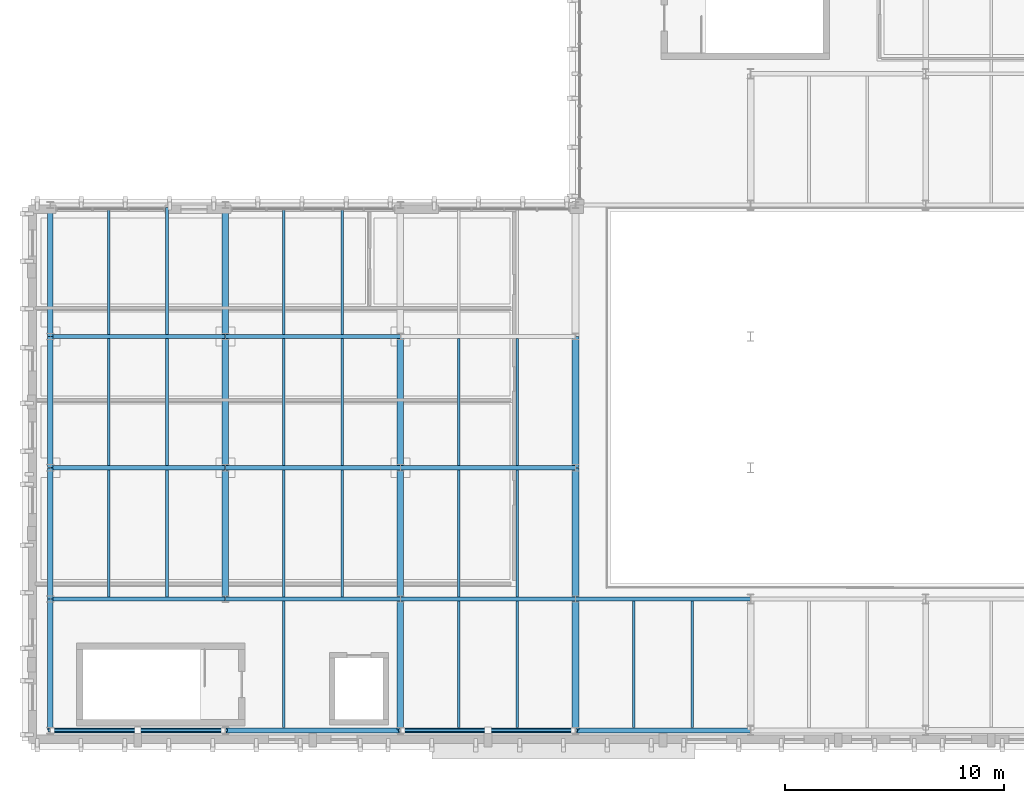
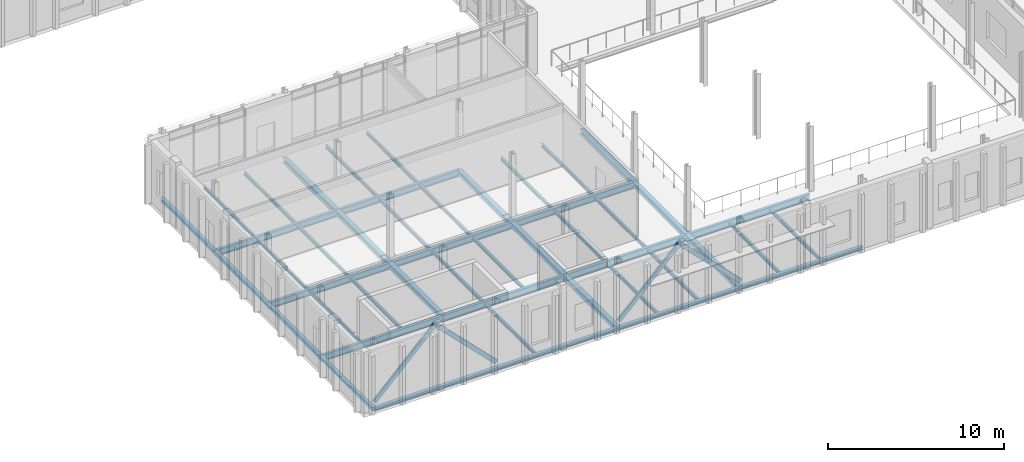
# One storey, part 14 of 100: 47 beams, 4 members.
"""IFC4 building model written with IfcOpenShell, lengths in metres."""

import ifcopenshell
import ifcopenshell.guid

model = None  # the IFC model being written
_history = None  # IfcOwnerHistory: only IFC2X3 demands one
_inside = {}  # id of a spatial element -> (the spatial element, [elements in it])
_under = {}  # id of a project, library or spatial element -> (it, [spatial elements below it])
_declared = {}  # id of a project -> (the project, [libraries it declares])
_typed = {}  # id of a type object -> (the type object, [elements of that type])
_made_of = {}  # id of a material, layer set ... -> (it, [elements and type objects made of it])


def new_model(schema):
    """Start an empty IFC model of exactly this schema.

    Asked for "IFC4X3", IfcOpenShell would pick the latest addendum, in which some entities
    have other attributes; the version numbers below select the first issue.
    IFC2X3 requires an IfcOwnerHistory on every rooted entity: one is made here for all.
    """
    global model, _history
    if schema == "IFC4X3":
        model = ifcopenshell.file(schema_version=(4, 3, 0, 0))
    else:
        model = ifcopenshell.file(schema=schema)
    _inside.clear()
    _under.clear()
    _declared.clear()
    _typed.clear()
    _made_of.clear()
    _history = None
    if model.schema == "IFC2X3":
        org = make("IfcOrganization", Name="unknown")
        user = make(
            "IfcPersonAndOrganization",
            ThePerson=make("IfcPerson", FamilyName="unknown"),
            TheOrganization=org,
        )
        app = make(
            "IfcApplication",
            ApplicationDeveloper=org,
            Version="unknown",
            ApplicationFullName="unknown",
            ApplicationIdentifier="unknown",
        )
        _history = make(
            "IfcOwnerHistory",
            OwningUser=user,
            OwningApplication=app,
            ChangeAction="ADDED",
            CreationDate=0,
        )
    return model


def make(cls, **values):
    """One entity of the class cls with the attributes given. An attribute that is None is left unset."""
    return model.create_entity(
        cls, **{name: value for name, value in values.items() if value is not None}
    )


def rooted(cls, **values):
    """An entity with a GlobalId (a new one), such as an element, a storey or a relation."""
    return make(cls, GlobalId=ifcopenshell.guid.new(), OwnerHistory=_history, **values)


def si_unit(unit_type, name, prefix=None):
    """IfcSIUnit, for example si_unit("LENGTHUNIT", "METRE", prefix="MILLI")."""
    return make("IfcSIUnit", UnitType=unit_type, Prefix=prefix, Name=name)


def assignment(units):
    """IfcUnitAssignment: the units of a project."""
    return None if units is None else make("IfcUnitAssignment", Units=units)


def point(xyz):
    """IfcCartesianPoint."""
    return None if xyz is None else make("IfcCartesianPoint", Coordinates=xyz)


def direction(xyz):
    """IfcDirection."""
    return None if xyz is None else make("IfcDirection", DirectionRatios=xyz)


def frame(location, z_axis=None, x_axis=None):
    """IfcAxis2Placement3D, a coordinate frame: its origin and axes. An axis left out is left unset."""
    return make(
        "IfcAxis2Placement3D",
        Location=point(location),
        Axis=direction(z_axis),
        RefDirection=direction(x_axis),
    )


def frame_2d(location, x_axis=None):
    """IfcAxis2Placement2D, a coordinate frame in the plane: its origin and x axis."""
    return make(
        "IfcAxis2Placement2D", Location=point(location), RefDirection=direction(x_axis)
    )


def origin():
    """The frame at (0, 0, 0) with its axes left unset."""
    return frame((0.0, 0.0, 0.0))


def origin_2d():
    """The frame at (0, 0) in the plane with its x axis left unset."""
    return frame_2d((0.0, 0.0))


def place(relative_to, where):
    """IfcLocalPlacement: puts the frame where relative to a parent placement (None: the world)."""
    return make(
        "IfcLocalPlacement", PlacementRelTo=relative_to, RelativePlacement=where
    )


def context(
    kind, dimensions, precision=None, world=None, true_north=None, identifier=None
):
    """IfcGeometricRepresentationContext, for example the 3D "Model" context."""
    return make(
        "IfcGeometricRepresentationContext",
        ContextIdentifier=identifier,
        ContextType=kind,
        CoordinateSpaceDimension=dimensions,
        Precision=precision,
        WorldCoordinateSystem=world,
        TrueNorth=true_north,
    )


def subcontext(parent, identifier, kind, view, scale=None):
    """IfcGeometricRepresentationSubContext, for example "Body" below "Model"."""
    return make(
        "IfcGeometricRepresentationSubContext",
        ContextIdentifier=identifier,
        ContextType=kind,
        ParentContext=parent,
        TargetScale=scale,
        TargetView=view,
    )


def project(units=None, contexts=None):
    """IfcProject with its units and contexts."""
    return rooted(
        "IfcProject",
        Name="project",
        RepresentationContexts=contexts,
        UnitsInContext=assignment(units),
    )


def spatial(cls, under=None, at=None, **own):
    """A site, building, storey or space (cls), placed at a placement, below another one or the project."""
    s = rooted(cls, ObjectPlacement=at, **own)
    if under is not None:
        _under.setdefault(under.id(), (under, []))[1].append(s)
    return s


def profile(cls, at=None, kind="AREA", **sizes):
    """A parametric profile (cls). Its sizes go by their IFC names, for example OverallWidth=200.0."""
    return make(cls, ProfileType=kind, Position=at, **sizes)


def hollow_rectangle(**sizes):
    """IfcRectangleHollowProfileDef."""
    return profile("IfcRectangleHollowProfileDef", **sizes)


def i_section(**sizes):
    """IfcIShapeProfileDef."""
    return profile("IfcIShapeProfileDef", **sizes)


def extrude(swept, where, along, depth):
    """IfcExtrudedAreaSolid: the profile swept, set in the frame where, extruded along a direction by depth."""
    return make(
        "IfcExtrudedAreaSolid",
        SweptArea=swept,
        Position=where,
        ExtrudedDirection=direction(along),
        Depth=depth,
    )


def shape(context_of_items, identifier, shape_type, items):
    """IfcShapeRepresentation: the items that make up one representation, for example the "Body"."""
    return make(
        "IfcShapeRepresentation",
        ContextOfItems=context_of_items,
        RepresentationIdentifier=identifier,
        RepresentationType=shape_type,
        Items=items,
    )


def material(Name=None, Category=None):
    """IfcMaterial."""
    return make("IfcMaterial", Name=Name, Category=Category)


def material_profile(
    of_material, cross_section, Name=None, Category=None, Priority=None
):
    """IfcMaterialProfile: a cross section and its material."""
    return make(
        "IfcMaterialProfile",
        Name=Name,
        Material=of_material,
        Profile=cross_section,
        Priority=Priority,
        Category=Category,
    )


def profile_set(profiles, Name=None, composite=None):
    """IfcMaterialProfileSet."""
    return make(
        "IfcMaterialProfileSet",
        Name=Name,
        MaterialProfiles=profiles,
        CompositeProfile=composite,
    )


def made_of(thing, what):
    """Note that an element or type object is made of a material, layer set ...; save() writes the relation."""
    if what is not None:
        _made_of.setdefault(what.id(), (what, []))[1].append(thing)
    return thing


def type_object(cls, material=None, **own):
    """A type object (cls), such as IfcWallType, which elements share."""
    return made_of(rooted(cls, **own), material)


def element(
    cls,
    number,
    at=None,
    inside=None,
    cuts=None,
    type_object=None,
    material=None,
    context=None,
    identifier="Body",
    shape_type=None,
    held_by="IfcProductDefinitionShape",
    body=None,
    shapes=None,
    **own,
):
    """One element of the class cls, such as IfcWall. Its Tag is "e" and its number.

    at: its placement. inside: the storey or other place that contains it. cuts: it is an
    opening in that element (IfcRelVoidsElement). A single representation is given by context,
    identifier, shape_type and body (its items); several are given by shapes. held_by: the class
    of the entity that holds the representations. save() writes the other relations.
    """
    e = rooted(cls, Tag="e%d" % number, ObjectPlacement=at, **own)
    if body is not None:
        shapes = [shape(context, identifier, shape_type, body)]
    if shapes is not None:
        e.Representation = make(held_by, Representations=shapes)
    if inside is not None:
        _inside.setdefault(inside.id(), (inside, []))[1].append(e)
    if cuts is not None:
        rooted(
            "IfcRelVoidsElement", RelatingBuildingElement=cuts, RelatedOpeningElement=e
        )
    if type_object is not None:
        _typed.setdefault(type_object.id(), (type_object, []))[1].append(e)
    return made_of(e, material)


def aggregate(whole, parts):
    """IfcRelAggregates: a whole, such as a stair, and the parts it consists of."""
    return rooted("IfcRelAggregates", RelatingObject=whole, RelatedObjects=parts)


def save(model, path):
    """Write the relations noted so far, then the file.

    IfcRelAggregates (storeys below a building ...), IfcRelContainedInSpatialStructure (elements
    in a storey), IfcRelDefinesByType, IfcRelAssociatesMaterial and IfcRelDeclares: one each for
    every whole, place, type object, material and project.
    """
    for whole, parts in _under.values():
        aggregate(whole, parts)
    for where, things in _inside.values():
        rooted(
            "IfcRelContainedInSpatialStructure",
            RelatedElements=things,
            RelatingStructure=where,
        )
    for kind, things in _typed.values():
        rooted("IfcRelDefinesByType", RelatedObjects=things, RelatingType=kind)
    for what, things in _made_of.values():
        rooted("IfcRelAssociatesMaterial", RelatedObjects=things, RelatingMaterial=what)
    for by, libraries in _declared.values():
        rooted("IfcRelDeclares", RelatingContext=by, RelatedDefinitions=libraries)
    model.write(path)


model = new_model("IFC4")

# Units and contexts
model_context = context("Model", 3, precision=1e-05, world=origin(), true_north=direction((0.0, 1.0)))
body_context = subcontext(model_context, "Body", "Model", "MODEL_VIEW")
ifc_project = project(units=[si_unit("LENGTHUNIT", "METRE"), si_unit("AREAUNIT", "SQUARE_METRE"), si_unit("VOLUMEUNIT", "CUBIC_METRE"), si_unit("PLANEANGLEUNIT", "RADIAN"), si_unit("MASSUNIT", "GRAM", prefix="KILO")], contexts=[model_context])

# Site, building, storey
site_placement = place(None, origin())
site = spatial("IfcSite", under=ifc_project, at=site_placement, CompositionType="ELEMENT")
building_placement = place(site_placement, origin())
building = spatial("IfcBuilding", under=site, at=building_placement, Name="Cymarion Research Institute", CompositionType="ELEMENT")
storey_placement = place(building_placement, frame((0.0, 0.0, 9.300048828125)))
storey = spatial("IfcBuildingStorey", under=building, at=storey_placement, Name="L02", CompositionType="ELEMENT", Elevation=9.300048828125)

# Beams
ifc_material = material(Name="Steel S355", Category="steel")
ifc_material_profile_1 = material_profile(ifc_material, i_section(OverallWidth=0.18994140625, OverallDepth=0.449951171875, WebThickness=0.009521484375, FlangeThickness=0.0146484375, FilletRadius=0.02099609375, at=origin_2d()), Name="IPE 450")
ifc_profile_set_1 = profile_set([ifc_material_profile_1], Name="Steel S355")
beam_type_1 = type_object("IfcBeamType", Name="PRIMARY GIRDER BM04 IPE 450", PredefinedType="BEAM", material=ifc_profile_set_1)
for number, where, z_axis, x_axis, name in (
    (1, (6.60595703125, 11.5, -0.47509765625), (1.0, 0.0, 0.0), (0.0, 1.0, 0.0), "L02 V3 girder BM04 #946"),
    (2, (14.60595703125, 11.5, -0.47509765625), (1.0, 0.0, 0.0), (0.0, 1.0, 0.0), "L02 V3 girder BM04 #947"),
    (3, (22.60595703125, 11.5, -0.47509765625), (1.0, 0.0, 0.0), (0.0, 1.0, 0.0), "L02 V3 girder BM04 #948"),
    (4, (30.60595703125, 11.5, -0.47509765625), (1.0, 0.0, 0.0), (0.0, 1.0, 0.0), "L02 V3 girder BM04 #949"),
    (5, (6.60595703125, 17.5, -0.47509765625), (1.0, 0.0, 0.0), (0.0, 1.0, 0.0), "L02 V3 girder BM04 #952"),
    (6, (14.60595703125, 17.5, -0.47509765625), (1.0, 0.0, 0.0), (0.0, 1.0, 0.0), "L02 V3 girder BM04 #953"),
    (7, (22.60595703125, 17.5, -0.47509765625), (1.0, 0.0, 0.0), (0.0, 1.0, 0.0), "L02 V3 girder BM04 #954"),
    (8, (6.60595703125, 23.5, -0.47509765625), (1.0, 0.0, 0.0), (0.0, 1.0, 0.0), "L02 V3 girder BM04 #955"),
    (9, (14.60595703125, 23.5, -0.47509765625), (1.0, 0.0, 0.0), (0.0, 1.0, 0.0), "L02 V3 girder BM04 #956"),
):
    element("IfcBeam", number, at=place(storey_placement, frame(where, z_axis=z_axis, x_axis=x_axis)), inside=storey, type_object=beam_type_1, Name=name, PredefinedType="BEAM", context=body_context, shape_type="SweptSolid", body=[
        extrude(i_section(OverallWidth=0.18994140625, OverallDepth=0.449951171875, WebThickness=0.009521484375, FlangeThickness=0.0146484375, FilletRadius=0.02099609375, at=origin_2d()), origin(), (0.0, 0.0, 1.0), 7.988037109375),
    ])
ifc_material_profile_2 = material_profile(ifc_material, i_section(OverallWidth=0.300048828125, OverallDepth=0.35009765625, WebThickness=0.010009765625, FlangeThickness=0.017578125, FilletRadius=0.027099609375, at=origin_2d()), Name="HEA 360")
ifc_profile_set_2 = profile_set([ifc_material_profile_2], Name="Steel S355")
beam_type_2 = type_object("IfcBeamType", Name="PRIMARY GIRDER BM12 HEA 360", PredefinedType="BEAM", material=ifc_profile_set_2)
for number, where, z_axis, x_axis, name in (
    (10, (14.60009765625, 11.506103515625, -0.425048828125), (0.0, 1.0, 0.0), (-1.0, 0.0, 0.0), "L02 V3 girder BM12 #974"),
    (11, (14.60009765625, 17.506103515625, -0.425048828125), (0.0, 1.0, 0.0), (-1.0, 0.0, 0.0), "L02 V3 girder BM12 #975"),
    (12, (14.60009765625, 23.506103515625, -0.425048828125), (0.0, 1.0, 0.0), (-1.0, 0.0, 0.0), "L02 V3 girder BM12 #976"),
    (13, (22.60009765625, 5.506103515625, -0.425048828125), (0.0, 1.0, 0.0), (-1.0, 0.0, 0.0), "L02 V3 girder BM12 #977"),
    (14, (22.60009765625, 11.506103515625, -0.425048828125), (0.0, 1.0, 0.0), (-1.0, 0.0, 0.0), "L02 V3 girder BM12 #978"),
    (15, (22.60009765625, 17.506103515625, -0.425048828125), (0.0, 1.0, 0.0), (-1.0, 0.0, 0.0), "L02 V3 girder BM12 #979"),
    (16, (30.60009765625, 5.506103515625, -0.425048828125), (0.0, 1.0, 0.0), (-1.0, 0.0, 0.0), "L02 V3 girder BM12 #981"),
    (17, (30.60009765625, 11.506103515625, -0.425048828125), (0.0, 1.0, 0.0), (-1.0, 0.0, 0.0), "L02 V3 girder BM12 #982"),
    (18, (30.60009765625, 17.506103515625, -0.425048828125), (0.0, 1.0, 0.0), (-1.0, 0.0, 0.0), "L02 V3 girder BM12 #983"),
):
    element("IfcBeam", number, at=place(storey_placement, frame(where, z_axis=z_axis, x_axis=x_axis)), inside=storey, type_object=beam_type_2, Name=name, PredefinedType="BEAM", context=body_context, shape_type="SweptSolid", body=[
        extrude(i_section(OverallWidth=0.300048828125, OverallDepth=0.35009765625, WebThickness=0.010009765625, FlangeThickness=0.017578125, FilletRadius=0.027099609375, at=origin_2d()), origin(), (0.0, 0.0, 1.0), 5.98779296875),
    ])
ifc_material_profile_3 = material_profile(ifc_material, i_section(OverallWidth=0.1201171875, OverallDepth=0.239990234375, WebThickness=0.006103515625, FlangeThickness=0.009765625, FilletRadius=0.014892578125, at=origin_2d()), Name="IPE 240")
ifc_profile_set_3 = profile_set([ifc_material_profile_3], Name="Steel S355")
beam_type_3 = type_object("IfcBeamType", Name="SECONDARY JOIST JS04 IPE 240", PredefinedType="JOIST", material=ifc_profile_set_3)
for number, where, z_axis, x_axis, name in (
    (19, (17.2666015625, 5.6240234375, -0.3701171875), (0.0, 1.0, 0.0), (-1.0, 0.0, 0.0), "L02 V3 secondary joist JS04 #998"),
    (20, (25.2666015625, 5.6240234375, -0.3701171875), (0.0, 1.0, 0.0), (-1.0, 0.0, 0.0), "L02 V3 secondary joist JS04 #999"),
    (21, (27.933349609375, 5.6240234375, -0.3701171875), (0.0, 1.0, 0.0), (-1.0, 0.0, 0.0), "L02 V3 secondary joist JS04 #1000"),
    (22, (33.2666015625, 5.6240234375, -0.3701171875), (0.0, 1.0, 0.0), (-1.0, 0.0, 0.0), "L02 V3 secondary joist JS04 #1001"),
    (23, (35.933349609375, 5.6240234375, -0.3701171875), (0.0, 1.0, 0.0), (-1.0, 0.0, 0.0), "L02 V3 secondary joist JS04 #1002"),
):
    element("IfcBeam", number, at=place(storey_placement, frame(where, z_axis=z_axis, x_axis=x_axis)), inside=storey, type_object=beam_type_3, Name=name, PredefinedType="JOIST", context=body_context, shape_type="SweptSolid", body=[
        extrude(i_section(OverallWidth=0.1201171875, OverallDepth=0.239990234375, WebThickness=0.006103515625, FlangeThickness=0.009765625, FilletRadius=0.014892578125, at=origin_2d()), origin(), (0.0, 0.0, 1.0), 5.77685546875),
    ])
for number, where, z_axis, x_axis, name in (
    (24, (9.2666015625, 11.59912109375, -0.3701171875), (0.0, 1.0, 0.0), (-1.0, 0.0, 0.0), "L02 V3 secondary joist JS04 #1006"),
    (25, (11.933349609375, 11.59912109375, -0.3701171875), (0.0, 1.0, 0.0), (-1.0, 0.0, 0.0), "L02 V3 secondary joist JS04 #1007"),
    (26, (17.2666015625, 11.59912109375, -0.3701171875), (0.0, 1.0, 0.0), (-1.0, 0.0, 0.0), "L02 V3 secondary joist JS04 #1008"),
    (27, (19.933349609375, 11.59912109375, -0.3701171875), (0.0, 1.0, 0.0), (-1.0, 0.0, 0.0), "L02 V3 secondary joist JS04 #1009"),
    (28, (25.2666015625, 11.59912109375, -0.3701171875), (0.0, 1.0, 0.0), (-1.0, 0.0, 0.0), "L02 V3 secondary joist JS04 #1010"),
    (29, (27.933349609375, 11.59912109375, -0.3701171875), (0.0, 1.0, 0.0), (-1.0, 0.0, 0.0), "L02 V3 secondary joist JS04 #1011"),
    (30, (9.2666015625, 17.59912109375, -0.3701171875), (0.0, 1.0, 0.0), (-1.0, 0.0, 0.0), "L02 V3 secondary joist JS04 #1012"),
    (31, (11.933349609375, 17.59912109375, -0.3701171875), (0.0, 1.0, 0.0), (-1.0, 0.0, 0.0), "L02 V3 secondary joist JS04 #1013"),
    (32, (17.2666015625, 17.59912109375, -0.3701171875), (0.0, 1.0, 0.0), (-1.0, 0.0, 0.0), "L02 V3 secondary joist JS04 #1014"),
    (33, (19.933349609375, 17.59912109375, -0.3701171875), (0.0, 1.0, 0.0), (-1.0, 0.0, 0.0), "L02 V3 secondary joist JS04 #1015"),
    (34, (25.2666015625, 17.59912109375, -0.3701171875), (0.0, 1.0, 0.0), (-1.0, 0.0, 0.0), "L02 V3 secondary joist JS04 #1016"),
    (35, (27.933349609375, 17.59912109375, -0.3701171875), (0.0, 1.0, 0.0), (-1.0, 0.0, 0.0), "L02 V3 secondary joist JS04 #1017"),
    (36, (9.2666015625, 23.59912109375, -0.3701171875), (0.0, 1.0, 0.0), (-1.0, 0.0, 0.0), "L02 V3 secondary joist JS04 #1018"),
    (37, (11.933349609375, 23.59912109375, -0.3701171875), (0.0, 1.0, 0.0), (-1.0, 0.0, 0.0), "L02 V3 secondary joist JS04 #1019"),
    (38, (17.2666015625, 23.59912109375, -0.3701171875), (0.0, 1.0, 0.0), (-1.0, 0.0, 0.0), "L02 V3 secondary joist JS04 #1020"),
    (39, (19.933349609375, 23.59912109375, -0.3701171875), (0.0, 1.0, 0.0), (-1.0, 0.0, 0.0), "L02 V3 secondary joist JS04 #1021"),
):
    element("IfcBeam", number, at=place(storey_placement, frame(where, z_axis=z_axis, x_axis=x_axis)), inside=storey, type_object=beam_type_3, Name=name, PredefinedType="JOIST", context=body_context, shape_type="SweptSolid", body=[
        extrude(i_section(OverallWidth=0.1201171875, OverallDepth=0.239990234375, WebThickness=0.006103515625, FlangeThickness=0.009765625, FilletRadius=0.014892578125, at=origin_2d()), origin(), (0.0, 0.0, 1.0), 5.8017578125),
    ])
ifc_material_profile_4 = material_profile(ifc_material, i_section(OverallWidth=0.239990234375, OverallDepth=0.22998046875, WebThickness=0.007568359375, FlangeThickness=0.011962890625, FilletRadius=0.02099609375, at=origin_2d()), Name="HEA 240")
ifc_profile_set_4 = profile_set([ifc_material_profile_4], Name="Steel S355")
beam_type_4 = type_object("IfcBeamType", Name="SPANDREL BEAM SPB03 HEA 240", PredefinedType="SPANDREL", material=ifc_profile_set_4)
for number, where, z_axis, x_axis, name in (
    (40, (6.60595703125, 5.5, -0.364990234375), (1.0, 0.0, 0.0), (0.0, 1.0, 0.0), "L02 V3 girder SPB03 #940"),
    (41, (14.60595703125, 5.5, -0.364990234375), (1.0, 0.0, 0.0), (0.0, 1.0, 0.0), "L02 V3 girder SPB03 #941"),
    (42, (22.60595703125, 5.5, -0.364990234375), (1.0, 0.0, 0.0), (0.0, 1.0, 0.0), "L02 V3 girder SPB03 #942"),
    (43, (30.60595703125, 5.5, -0.364990234375), (1.0, 0.0, 0.0), (0.0, 1.0, 0.0), "L02 V3 girder SPB03 #943"),
):
    element("IfcBeam", number, at=place(storey_placement, frame(where, z_axis=z_axis, x_axis=x_axis)), inside=storey, type_object=beam_type_4, Name=name, PredefinedType="SPANDREL", context=body_context, shape_type="SweptSolid", body=[
        extrude(i_section(OverallWidth=0.239990234375, OverallDepth=0.22998046875, WebThickness=0.007568359375, FlangeThickness=0.011962890625, FilletRadius=0.02099609375, at=origin_2d()), origin(), (0.0, 0.0, 1.0), 7.988037109375),
    ])
for number, where, z_axis, x_axis, name in (
    (44, (6.60009765625, 5.506103515625, -0.364990234375), (0.0, 1.0, 0.0), (-1.0, 0.0, 0.0), "L02 V3 girder SPB03 #970"),
    (45, (6.60009765625, 11.506103515625, -0.364990234375), (0.0, 1.0, 0.0), (-1.0, 0.0, 0.0), "L02 V3 girder SPB03 #971"),
    (46, (6.60009765625, 17.506103515625, -0.364990234375), (0.0, 1.0, 0.0), (-1.0, 0.0, 0.0), "L02 V3 girder SPB03 #972"),
    (47, (6.60009765625, 23.506103515625, -0.364990234375), (0.0, 1.0, 0.0), (-1.0, 0.0, 0.0), "L02 V3 girder SPB03 #973"),
):
    element("IfcBeam", number, at=place(storey_placement, frame(where, z_axis=z_axis, x_axis=x_axis)), inside=storey, type_object=beam_type_4, Name=name, PredefinedType="SPANDREL", context=body_context, shape_type="SweptSolid", body=[
        extrude(i_section(OverallWidth=0.239990234375, OverallDepth=0.22998046875, WebThickness=0.007568359375, FlangeThickness=0.011962890625, FilletRadius=0.02099609375, at=origin_2d()), origin(), (0.0, 0.0, 1.0), 5.98779296875),
    ])

# Members
ifc_material_profile_5 = material_profile(ifc_material, hollow_rectangle(XDim=0.14990234375, YDim=0.300048828125, WallThickness=0.012451171875, InnerFilletRadius=0.018798828125, OuterFilletRadius=0.03125, at=origin_2d()), Name="RHS 300x150x12.5")
ifc_profile_set_5 = profile_set([ifc_material_profile_5], Name="Steel S355")
member_type = type_object("IfcMemberType", Name="STRUCTURAL MEMBER BR10 RHS 300x150x12.5", PredefinedType="BRACE", material=ifc_profile_set_5)
member_1_placement = place(storey_placement, frame((6.6142578125, 5.5, 0.119873046875), z_axis=(0.70610954467, 0.0, 0.708102613275), x_axis=(0.0, 1.0, 0.0)))
element("IfcMember", 48, at=member_1_placement, inside=storey, type_object=member_type, Name="L02 V3 seismic chevron brace BR10 #1", PredefinedType="BRACE", context=body_context, shape_type="SweptSolid", body=[
    extrude(hollow_rectangle(XDim=0.14990234375, YDim=0.300048828125, WallThickness=0.012451171875, InnerFilletRadius=0.018798828125, OuterFilletRadius=0.03125, at=origin_2d()), origin(), (0.0, 0.0, 1.0), 5.634765625),
])
member_2_placement = place(storey_placement, frame((14.585693359375, 5.5, 0.119873046875), z_axis=(-0.706087818821, 0.0, 0.708124277307), x_axis=(0.0, -1.0, 0.0)))
element("IfcMember", 49, at=member_2_placement, inside=storey, type_object=member_type, Name="L02 V3 seismic chevron brace BR10 #2", PredefinedType="BRACE", context=body_context, shape_type="SweptSolid", body=[
    extrude(hollow_rectangle(XDim=0.14990234375, YDim=0.300048828125, WallThickness=0.012451171875, InnerFilletRadius=0.018798828125, OuterFilletRadius=0.03125, at=origin_2d()), origin(), (0.0, 0.0, 1.0), 5.634521484375),
])
member_3_placement = place(storey_placement, frame((22.6142578125, 5.5, 0.119873046875), z_axis=(0.70610954467, 0.0, 0.708102613275), x_axis=(0.0, 1.0, 0.0)))
element("IfcMember", 50, at=member_3_placement, inside=storey, type_object=member_type, Name="L02 V3 seismic chevron brace BR10 #1", PredefinedType="BRACE", context=body_context, shape_type="SweptSolid", body=[
    extrude(hollow_rectangle(XDim=0.14990234375, YDim=0.300048828125, WallThickness=0.012451171875, InnerFilletRadius=0.018798828125, OuterFilletRadius=0.03125, at=origin_2d()), origin(), (0.0, 0.0, 1.0), 5.634765625),
])
member_4_placement = place(storey_placement, frame((30.585693359375, 5.5, 0.119873046875), z_axis=(-0.706087818821, 0.0, 0.708124277307), x_axis=(0.0, -1.0, 0.0)))
element("IfcMember", 51, at=member_4_placement, inside=storey, type_object=member_type, Name="L02 V3 seismic chevron brace BR10 #2", PredefinedType="BRACE", context=body_context, shape_type="SweptSolid", body=[
    extrude(hollow_rectangle(XDim=0.14990234375, YDim=0.300048828125, WallThickness=0.012451171875, InnerFilletRadius=0.018798828125, OuterFilletRadius=0.03125, at=origin_2d()), origin(), (0.0, 0.0, 1.0), 5.634521484375),
])

save(model, "model.ifc")
